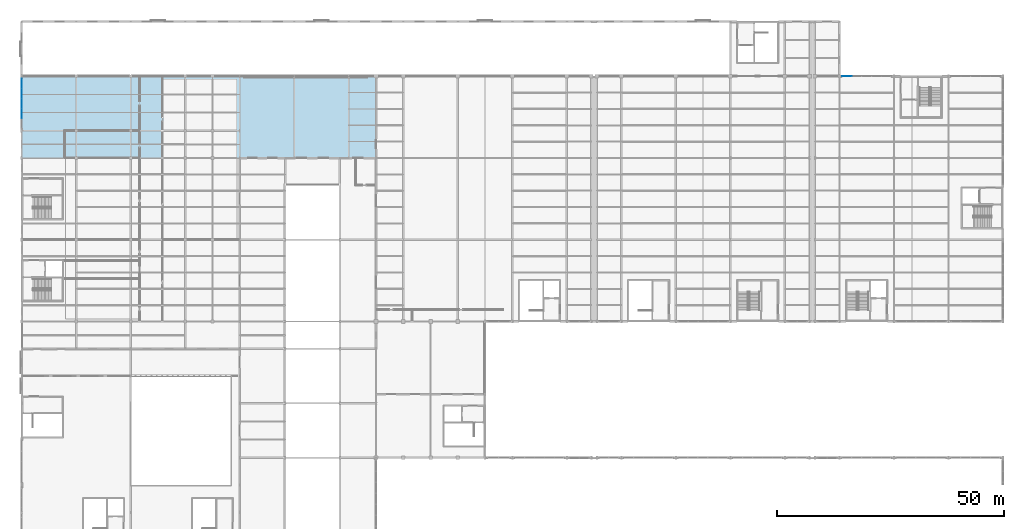
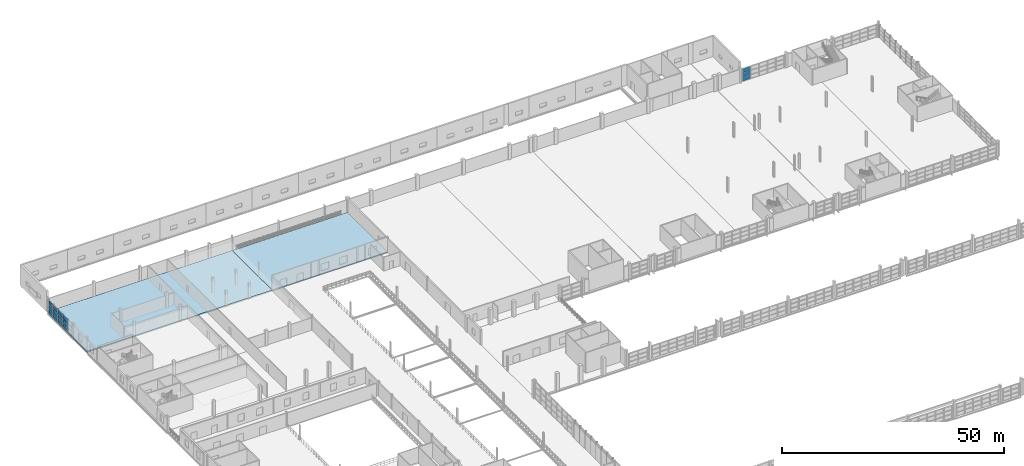
# One storey, part 129 of 147: 15 plates, 2 slabs, 2 elements without a shape of their own.
"""IFC4 building model written with IfcOpenShell, lengths in metres."""

from ifc_helpers import new_model, si_unit, direction, frame, origin, origin_2d, place, context, subcontext, project, spatial, polyline, rectangle, outline, extrude, material, layer, layer_set, type_object, element, aggregate, save


model = new_model("IFC4")

# Units and contexts
model_context = context("Model", 3, precision=1e-05, world=origin(), true_north=direction((0.0, 1.0)))
body_context = subcontext(model_context, "Body", "Model", "MODEL_VIEW")
ifc_project = project(units=[si_unit("LENGTHUNIT", "METRE"), si_unit("AREAUNIT", "SQUARE_METRE"), si_unit("VOLUMEUNIT", "CUBIC_METRE"), si_unit("PLANEANGLEUNIT", "RADIAN"), si_unit("MASSUNIT", "GRAM", prefix="KILO")], contexts=[model_context])

# Site, building, storey
site_placement = place(None, origin())
site = spatial("IfcSite", under=ifc_project, at=site_placement, CompositionType="ELEMENT")
building_placement = place(site_placement, origin())
building = spatial("IfcBuilding", under=site, at=building_placement, Name="Zilviju Railside Exhibition Hall", CompositionType="ELEMENT")
storey_placement = place(building_placement, frame((0.0, 0.0, 8.39990234375)))
storey = spatial("IfcBuildingStorey", under=building, at=storey_placement, Name="L03", CompositionType="ELEMENT", Elevation=8.39990234375)

# Curtain wall, plates
ifc_material_1 = material(Name="Thermally broken aluminium-steel triple-glazed curtain wall", Category="steel")
ifc_layer_1 = layer(ifc_material_1, 0.179931640625)
ifc_layer_set_1 = layer_set([ifc_layer_1], Name="Thermally broken aluminium-steel triple-glazed curtain wall")
curtain_wall_type_1 = type_object("IfcCurtainWallType", Name="CW-BAY-05", PredefinedType="USERDEFINED", material=ifc_layer_set_1)
curtain_wall_1_placement = place(storey_placement, origin())
curtain_wall_1 = element("IfcCurtainWall", 1, at=curtain_wall_1_placement, inside=storey, type_object=curtain_wall_type_1, Name="Organisers Wing Jugendstils Erkeri Curtain Wall L03", ObjectType="GLAZED CURTAIN WALL", PredefinedType="USERDEFINED")
ifc_material_2 = material(Name="Laminated acoustic double-glazed porch unit", Category="glass")
ifc_layer_2 = layer(ifc_material_2, 0.031982421875)
ifc_layer_set_2 = layer_set([ifc_layer_2], Name="Laminated acoustic double-glazed porch unit")
plate_type_1 = type_object("IfcPlateType", Name="CWP-IGU-32", PredefinedType="CURTAIN_PANEL", material=ifc_layer_set_2)
plate_1_placement = place(storey_placement, frame((0.0, 129.820068359375, 0.06005859375), z_axis=(0.0, 0.0, 1.0), x_axis=(0.0, 1.0, 0.0)))
plate_1 = element("IfcPlate", 2, at=plate_1_placement, type_object=plate_type_1, Name="CW-05 panel 2.1", PredefinedType="CURTAIN_PANEL", context=body_context, shape_type="SweptSolid", body=[
    extrude(rectangle(XDim=2.1201171875, YDim=0.031982421875, at=origin_2d()), origin(), (0.0, 0.0, 1.0), 1.076904296875),
])
plate_2_placement = place(storey_placement, frame((0.0, 129.820068359375, 1.197021484375), z_axis=(0.0, 0.0, 1.0), x_axis=(0.0, 1.0, 0.0)))
plate_2 = element("IfcPlate", 3, at=plate_2_placement, type_object=plate_type_1, Name="CW-05 panel 2.2", PredefinedType="CURTAIN_PANEL", context=body_context, shape_type="SweptSolid", body=[
    extrude(rectangle(XDim=2.1201171875, YDim=0.031982421875, at=origin_2d()), origin(), (0.0, 0.0, 1.0), 1.10595703125),
])
plate_3_placement = place(storey_placement, frame((0.0, 129.820068359375, 2.36328125), z_axis=(0.0, 0.0, 1.0), x_axis=(0.0, 1.0, 0.0)))
plate_3 = element("IfcPlate", 4, at=plate_3_placement, type_object=plate_type_1, Name="CW-05 panel 2.3", PredefinedType="CURTAIN_PANEL", context=body_context, shape_type="SweptSolid", body=[
    extrude(rectangle(XDim=2.1201171875, YDim=0.031982421875, at=origin_2d()), origin(), (0.0, 0.0, 1.0), 1.076904296875),
])
plate_4_placement = place(storey_placement, frame((0.0, 132.0, 0.06005859375), z_axis=(0.0, 0.0, 1.0), x_axis=(0.0, 1.0, 0.0)))
plate_4 = element("IfcPlate", 5, at=plate_4_placement, type_object=plate_type_1, Name="CW-05 panel 3.1", PredefinedType="CURTAIN_PANEL", context=body_context, shape_type="SweptSolid", body=[
    extrude(rectangle(XDim=2.1201171875, YDim=0.031982421875, at=origin_2d()), origin(), (0.0, 0.0, 1.0), 1.076904296875),
])
plate_5_placement = place(storey_placement, frame((0.0, 132.0, 1.197021484375), z_axis=(0.0, 0.0, 1.0), x_axis=(0.0, 1.0, 0.0)))
plate_5 = element("IfcPlate", 6, at=plate_5_placement, type_object=plate_type_1, Name="CW-05 panel 3.2", PredefinedType="CURTAIN_PANEL", context=body_context, shape_type="SweptSolid", body=[
    extrude(rectangle(XDim=2.1201171875, YDim=0.031982421875, at=origin_2d()), origin(), (0.0, 0.0, 1.0), 1.10595703125),
])
plate_6_placement = place(storey_placement, frame((0.0, 132.0, 2.36328125), z_axis=(0.0, 0.0, 1.0), x_axis=(0.0, 1.0, 0.0)))
plate_6 = element("IfcPlate", 7, at=plate_6_placement, type_object=plate_type_1, Name="CW-05 panel 3.3", PredefinedType="CURTAIN_PANEL", context=body_context, shape_type="SweptSolid", body=[
    extrude(rectangle(XDim=2.1201171875, YDim=0.031982421875, at=origin_2d()), origin(), (0.0, 0.0, 1.0), 1.076904296875),
])
plate_7_placement = place(storey_placement, frame((0.0, 134.179931640625, 0.06005859375), z_axis=(0.0, 0.0, 1.0), x_axis=(0.0, 1.0, 0.0)))
plate_7 = element("IfcPlate", 8, at=plate_7_placement, type_object=plate_type_1, Name="CW-05 panel 4.1", PredefinedType="CURTAIN_PANEL", context=body_context, shape_type="SweptSolid", body=[
    extrude(rectangle(XDim=2.1201171875, YDim=0.031982421875, at=origin_2d()), origin(), (0.0, 0.0, 1.0), 1.076904296875),
])
plate_8_placement = place(storey_placement, frame((0.0, 134.179931640625, 1.197021484375), z_axis=(0.0, 0.0, 1.0), x_axis=(0.0, 1.0, 0.0)))
plate_8 = element("IfcPlate", 9, at=plate_8_placement, type_object=plate_type_1, Name="CW-05 panel 4.2", PredefinedType="CURTAIN_PANEL", context=body_context, shape_type="SweptSolid", body=[
    extrude(rectangle(XDim=2.1201171875, YDim=0.031982421875, at=origin_2d()), origin(), (0.0, 0.0, 1.0), 1.10595703125),
])
plate_9_placement = place(storey_placement, frame((0.0, 134.179931640625, 2.36328125), z_axis=(0.0, 0.0, 1.0), x_axis=(0.0, 1.0, 0.0)))
plate_9 = element("IfcPlate", 10, at=plate_9_placement, type_object=plate_type_1, Name="CW-05 panel 4.3", PredefinedType="CURTAIN_PANEL", context=body_context, shape_type="SweptSolid", body=[
    extrude(rectangle(XDim=2.1201171875, YDim=0.031982421875, at=origin_2d()), origin(), (0.0, 0.0, 1.0), 1.076904296875),
])
plate_10_placement = place(storey_placement, frame((0.0, 136.344970703125, 0.06005859375), z_axis=(0.0, 0.0, 1.0), x_axis=(0.0, 1.0, 0.0)))
plate_10 = element("IfcPlate", 11, at=plate_10_placement, type_object=plate_type_1, Name="CW-05 panel 5.1", PredefinedType="CURTAIN_PANEL", context=body_context, shape_type="SweptSolid", body=[
    extrude(rectangle(XDim=2.090087890625, YDim=0.031982421875, at=origin_2d()), origin(), (0.0, 0.0, 1.0), 1.076904296875),
])
plate_11_placement = place(storey_placement, frame((0.0, 136.344970703125, 1.197021484375), z_axis=(0.0, 0.0, 1.0), x_axis=(0.0, 1.0, 0.0)))
plate_11 = element("IfcPlate", 12, at=plate_11_placement, type_object=plate_type_1, Name="CW-05 panel 5.2", PredefinedType="CURTAIN_PANEL", context=body_context, shape_type="SweptSolid", body=[
    extrude(rectangle(XDim=2.090087890625, YDim=0.031982421875, at=origin_2d()), origin(), (0.0, 0.0, 1.0), 1.10595703125),
])
plate_12_placement = place(storey_placement, frame((0.0, 136.344970703125, 2.36328125), z_axis=(0.0, 0.0, 1.0), x_axis=(0.0, 1.0, 0.0)))
plate_12 = element("IfcPlate", 13, at=plate_12_placement, type_object=plate_type_1, Name="CW-05 panel 5.3", PredefinedType="CURTAIN_PANEL", context=body_context, shape_type="SweptSolid", body=[
    extrude(rectangle(XDim=2.090087890625, YDim=0.031982421875, at=origin_2d()), origin(), (0.0, 0.0, 1.0), 1.076904296875),
])
aggregate(curtain_wall_1, [plate_1, plate_2, plate_3, plate_4, plate_5, plate_6, plate_7, plate_8, plate_9, plate_10, plate_11, plate_12])

ifc_layer_3 = layer(ifc_material_1, 0.179931640625)
ifc_layer_set_3 = layer_set([ifc_layer_3], Name="Thermally broken aluminium-steel triple-glazed curtain wall")
curtain_wall_type_2 = type_object("IfcCurtainWallType", Name="CW-BAY-06", PredefinedType="USERDEFINED", material=ifc_layer_set_3)
curtain_wall_2_placement = place(storey_placement, origin())
curtain_wall_2 = element("IfcCurtainWall", 14, at=curtain_wall_2_placement, inside=storey, type_object=curtain_wall_type_2, Name="North Hall Clerestory Curtain Wall L03 (180..192)", ObjectType="GLAZED CURTAIN WALL", PredefinedType="USERDEFINED")
ifc_material_3 = material(Name="Triple-glazed solar-control glass unit", Category="glass")
ifc_layer_4 = layer(ifc_material_3, 0.0380859375)
ifc_layer_set_4 = layer_set([ifc_layer_4], Name="Triple-glazed solar-control glass unit")
plate_type_2 = type_object("IfcPlateType", Name="CWP-IGU-38", PredefinedType="CURTAIN_PANEL", material=ifc_layer_set_4)
plate_13_placement = place(storey_placement, frame((181.65625, 138.0, 0.065185546875), z_axis=(0.0, 0.0, 1.0), x_axis=(1.0, 0.0, 0.0)))
plate_13 = element("IfcPlate", 15, at=plate_13_placement, type_object=plate_type_2, Name="CW-06 panel 1.1", PredefinedType="CURTAIN_PANEL", context=body_context, shape_type="SweptSolid", body=[
    extrude(rectangle(XDim=2.08251953125, YDim=0.0380859375, at=origin_2d()), origin(), (0.0, 0.0, 1.0), 1.08544921875),
])
plate_14_placement = place(storey_placement, frame((181.65625, 138.0, 1.2158203125), z_axis=(0.0, 0.0, 1.0), x_axis=(1.0, 0.0, 0.0)))
plate_14 = element("IfcPlate", 16, at=plate_14_placement, type_object=plate_type_2, Name="CW-06 panel 1.2", PredefinedType="CURTAIN_PANEL", context=body_context, shape_type="SweptSolid", body=[
    extrude(rectangle(XDim=2.08251953125, YDim=0.0380859375, at=origin_2d()), origin(), (0.0, 0.0, 1.0), 1.118896484375),
])
plate_15_placement = place(storey_placement, frame((181.65625, 138.0, 2.399658203125), z_axis=(0.0, 0.0, 1.0), x_axis=(1.0, 0.0, 0.0)))
plate_15 = element("IfcPlate", 17, at=plate_15_placement, type_object=plate_type_2, Name="CW-06 panel 1.3", PredefinedType="CURTAIN_PANEL", context=body_context, shape_type="SweptSolid", body=[
    extrude(rectangle(XDim=2.08251953125, YDim=0.0380859375, at=origin_2d()), origin(), (0.0, 0.0, 1.0), 1.08544921875),
])
aggregate(curtain_wall_2, [plate_13, plate_14, plate_15])

# Slabs
ifc_material_4 = material(Name="Concrete C35/45", Category="concrete")
ifc_layer_5 = layer(ifc_material_4, 0.35009765625)
ifc_layer_set_5 = layer_set([ifc_layer_5], Name="Concrete C35/45")
slab_type_1 = type_object("IfcSlabType", Name="SL-FLR-350", PredefinedType="FLOOR", material=ifc_layer_set_5)
slab_1_placement = place(storey_placement, frame((0.0, 0.0, -0.349853515625)))
element("IfcSlab", 18, at=slab_1_placement, inside=storey, type_object=slab_type_1, Name="Breakout Wing L03 Floor Slab 3", PredefinedType="FLOOR", context=body_context, shape_type="SweptSolid", body=[
    extrude(outline(polyline([(0.0, 120.0), (48.0, 120.0), (48.0, 138.0), (0.0, 138.0), (0.0, 120.0)])), origin(), (0.0, 0.0, 1.0), 0.349853515625),
])
ifc_layer_6 = layer(ifc_material_4, 0.320068359375)
ifc_layer_set_6 = layer_set([ifc_layer_6], Name="Concrete C35/45")
slab_type_2 = type_object("IfcSlabType", Name="SL-RG-320", PredefinedType="ROOF", material=ifc_layer_set_6)
slab_2_placement = place(storey_placement, frame((0.0, 0.0, -0.31982421875)))
element("IfcSlab", 19, at=slab_2_placement, inside=storey, type_object=slab_type_2, Name="North Concourse Planted Roof Garden", PredefinedType="ROOF", context=body_context, shape_type="SweptSolid", body=[
    extrude(outline(polyline([(48.0, 120.0), (78.0, 120.0), (78.0, 138.0), (48.0, 138.0), (48.0, 120.0)])), origin(), (0.0, 0.0, 1.0), 0.31982421875),
])

save(model, "model.ifc")
